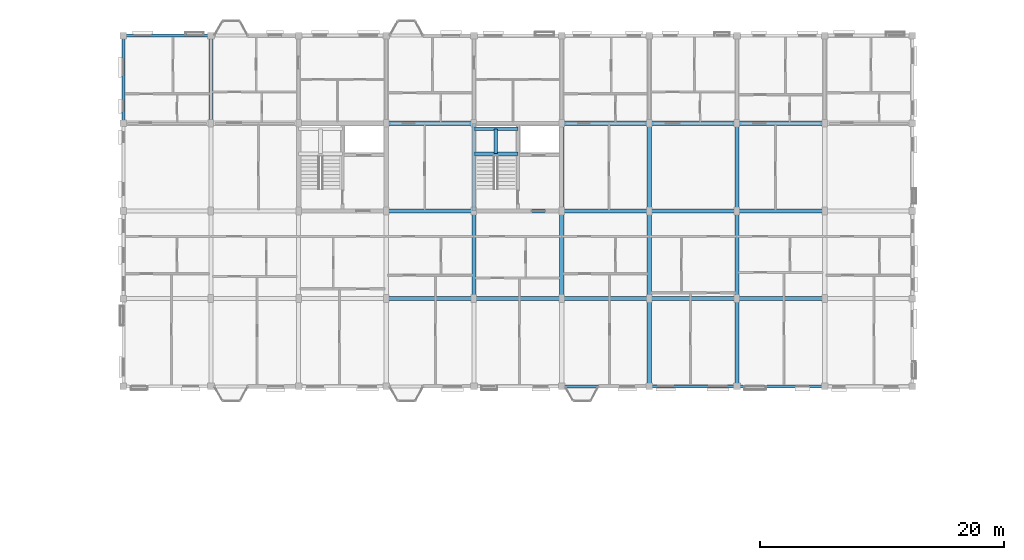
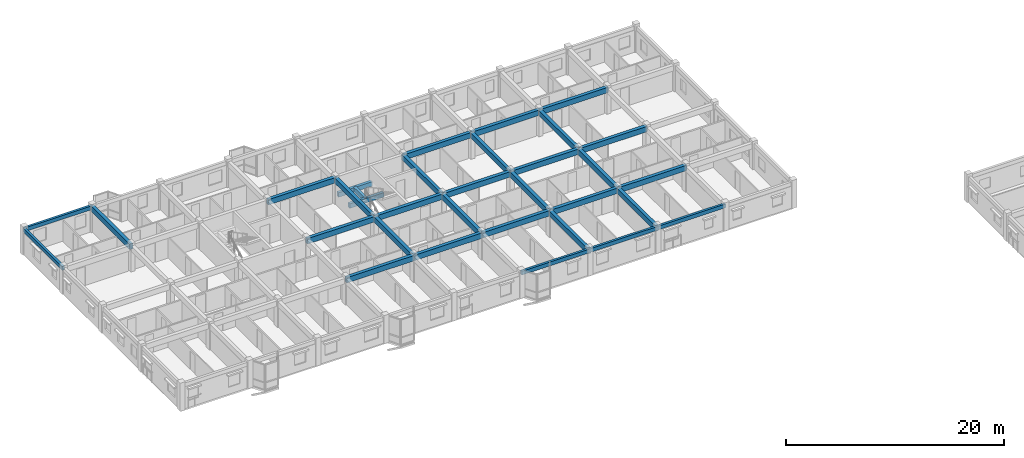
# One storey, part 36 of 75: 33 beams.
"""IFC4 building model written with IfcOpenShell, lengths in metres."""

from ifc_helpers import new_model, si_unit, direction, frame, origin, origin_2d, place, context, subcontext, project, spatial, rectangle, extrude, material, material_profile, profile_set, type_object, element, save


model = new_model("IFC4")

# Units and contexts
model_context = context("Model", 3, precision=1e-05, world=origin(), true_north=direction((0.0, 1.0)))
body_context = subcontext(model_context, "Body", "Model", "MODEL_VIEW")
ifc_project = project(units=[si_unit("LENGTHUNIT", "METRE"), si_unit("AREAUNIT", "SQUARE_METRE"), si_unit("VOLUMEUNIT", "CUBIC_METRE"), si_unit("PLANEANGLEUNIT", "RADIAN"), si_unit("MASSUNIT", "GRAM", prefix="KILO"), si_unit("THERMODYNAMICTEMPERATUREUNIT", "KELVIN"), si_unit("POWERUNIT", "WATT")], contexts=[model_context])

# Site, building, storey
site_placement = place(None, origin())
site = spatial("IfcSite", under=ifc_project, at=site_placement, CompositionType="ELEMENT")
building_placement = place(site_placement, origin())
building = spatial("IfcBuilding", under=site, at=building_placement, Name="Tavuni Mirador Residences", CompositionType="ELEMENT")
storey_placement = place(building_placement, frame((0.0, 0.0, 20.25)))
storey = spatial("IfcBuildingStorey", under=building, at=storey_placement, Name="L06", CompositionType="ELEMENT", Elevation=20.25)

# Beams
ifc_material = material(Name="Precast concrete C40/50", Category="concrete")
ifc_material_profile_1 = material_profile(ifc_material, rectangle(XDim=0.300048828125, YDim=0.5, at=origin_2d()), Name="PC 300x500", Category="concrete")
ifc_profile_set_1 = profile_set([ifc_material_profile_1], Name="Precast concrete C40/50")
beam_type_1 = type_object("IfcBeamType", Name="BT-B500", PredefinedType="BEAM", material=ifc_profile_set_1)
for number, where, z_axis, x_axis, name in (
    (1, (39.60009765625, 163.10009765625, 1.14501953125), (1.0, 0.0, 0.0), (0.0, 1.0, 0.0), "HLB1-C6-L06"),
    (2, (39.60009765625, 165.14990234375, 1.14501953125), (1.0, 0.0, 0.0), (0.0, 1.0, 0.0), "HLB2-C6-L06"),
):
    element("IfcBeam", number, at=place(storey_placement, frame(where, z_axis=z_axis, x_axis=x_axis)), inside=storey, type_object=beam_type_1, Name=name, PredefinedType="BEAM", context=body_context, shape_type="SweptSolid", body=[
        extrude(rectangle(XDim=0.300048828125, YDim=0.5, at=origin_2d()), origin(), (0.0, 0.0, 1.0), 3.599853515625),
    ])
beam_1_placement = place(storey_placement, frame((41.39990234375, 163.10009765625, 1.14501953125), z_axis=(0.0, 1.0, 0.0), x_axis=(-1.0, 0.0, 0.0)))
element("IfcBeam", 3, at=beam_1_placement, inside=storey, type_object=beam_type_1, Name="HLB3-C6-L06", PredefinedType="BEAM", context=body_context, shape_type="SweptSolid", body=[
    extrude(rectangle(XDim=0.300048828125, YDim=0.5, at=origin_2d()), origin(), (0.0, 0.0, 1.0), 2.0498046875),
])
ifc_material_profile_2 = material_profile(ifc_material, rectangle(XDim=0.35009765625, YDim=0.60009765625, at=origin_2d()), Name="PC 350x600", Category="concrete")
ifc_profile_set_2 = profile_set([ifc_material_profile_2], Name="Precast concrete C40/50")
beam_type_2 = type_object("IfcBeamType", Name="BT-B600", PredefinedType="BEAM", material=ifc_profile_set_2)
beam_2_placement = place(storey_placement, frame((32.39990234375, 151.199951171875, 2.5849609375), z_axis=(1.0, 0.0, 0.0), x_axis=(0.0, 1.0, 0.0)))
element("IfcBeam", 4, at=beam_2_placement, inside=storey, type_object=beam_type_2, Name="BMX-BLK-C-L06-03-01", PredefinedType="BEAM", context=body_context, shape_type="SweptSolid", body=[
    extrude(rectangle(XDim=0.35009765625, YDim=0.60009765625, at=origin_2d()), origin(), (0.0, 0.0, 1.0), 7.2001953125),
])
for number, where, z_axis, x_axis, name in (
    (5, (39.60009765625, 151.199951171875, 2.5849609375), (1.0, 0.0, 0.0), (0.0, 1.0, 0.0), "BMX-BLK-C-L06-04-01"),
    (6, (46.800048828125, 151.199951171875, 2.5849609375), (1.0, 0.0, 0.0), (0.0, 1.0, 0.0), "BMX-BLK-C-L06-05-01"),
    (7, (54.0, 151.199951171875, 2.5849609375), (1.0, 0.0, 0.0), (0.0, 1.0, 0.0), "BMX-BLK-C-L06-06-01"),
    (8, (61.199951171875, 151.199951171875, 2.5849609375), (1.0, 0.0, 0.0), (0.0, 1.0, 0.0), "BMX-BLK-C-L06-07-01"),
):
    element("IfcBeam", number, at=place(storey_placement, frame(where, z_axis=z_axis, x_axis=x_axis)), inside=storey, type_object=beam_type_2, Name=name, PredefinedType="BEAM", context=body_context, shape_type="SweptSolid", body=[
        extrude(rectangle(XDim=0.35009765625, YDim=0.60009765625, at=origin_2d()), origin(), (0.0, 0.0, 1.0), 7.199951171875),
    ])
beam_3_placement = place(storey_placement, frame((32.39990234375, 158.39990234375, 2.5849609375), z_axis=(1.0, 0.0, 0.0), x_axis=(0.0, 1.0, 0.0)))
element("IfcBeam", 9, at=beam_3_placement, inside=storey, type_object=beam_type_2, Name="BMX-BLK-C-L06-03-02", PredefinedType="BEAM", context=body_context, shape_type="SweptSolid", body=[
    extrude(rectangle(XDim=0.35009765625, YDim=0.60009765625, at=origin_2d()), origin(), (0.0, 0.0, 1.0), 7.2001953125),
])
for number, where, z_axis, x_axis, name in (
    (10, (39.60009765625, 158.39990234375, 2.5849609375), (1.0, 0.0, 0.0), (0.0, 1.0, 0.0), "BMX-BLK-C-L06-04-02"),
    (11, (46.800048828125, 158.39990234375, 2.5849609375), (1.0, 0.0, 0.0), (0.0, 1.0, 0.0), "BMX-BLK-C-L06-05-02"),
    (12, (54.0, 158.39990234375, 2.5849609375), (1.0, 0.0, 0.0), (0.0, 1.0, 0.0), "BMX-BLK-C-L06-06-02"),
    (13, (61.199951171875, 158.39990234375, 2.5849609375), (1.0, 0.0, 0.0), (0.0, 1.0, 0.0), "BMX-BLK-C-L06-07-02"),
):
    element("IfcBeam", number, at=place(storey_placement, frame(where, z_axis=z_axis, x_axis=x_axis)), inside=storey, type_object=beam_type_2, Name=name, PredefinedType="BEAM", context=body_context, shape_type="SweptSolid", body=[
        extrude(rectangle(XDim=0.35009765625, YDim=0.60009765625, at=origin_2d()), origin(), (0.0, 0.0, 1.0), 7.199951171875),
    ])
beam_4_placement = place(storey_placement, frame((32.39990234375, 165.60009765625, 2.5849609375), z_axis=(1.0, 0.0, 0.0), x_axis=(0.0, 1.0, 0.0)))
element("IfcBeam", 14, at=beam_4_placement, inside=storey, type_object=beam_type_2, Name="BMX-BLK-C-L06-03-03", PredefinedType="BEAM", context=body_context, shape_type="SweptSolid", body=[
    extrude(rectangle(XDim=0.35009765625, YDim=0.60009765625, at=origin_2d()), origin(), (0.0, 0.0, 1.0), 7.2001953125),
])
for number, where, z_axis, x_axis, name in (
    (15, (46.800048828125, 165.60009765625, 2.5849609375), (1.0, 0.0, 0.0), (0.0, 1.0, 0.0), "BMX-BLK-C-L06-05-03"),
    (16, (54.0, 165.60009765625, 2.5849609375), (1.0, 0.0, 0.0), (0.0, 1.0, 0.0), "BMX-BLK-C-L06-06-03"),
    (17, (61.199951171875, 165.60009765625, 2.5849609375), (1.0, 0.0, 0.0), (0.0, 1.0, 0.0), "BMX-BLK-C-L06-07-03"),
    (18, (18.0, 165.60009765625, 2.5849609375), (0.0, 1.0, 0.0), (-1.0, 0.0, 0.0), "BMY-BLK-C-L06-01-03"),
    (19, (39.60009765625, 151.199951171875, 2.5849609375), (0.0, 1.0, 0.0), (-1.0, 0.0, 0.0), "BMY-BLK-C-L06-04-01"),
):
    element("IfcBeam", number, at=place(storey_placement, frame(where, z_axis=z_axis, x_axis=x_axis)), inside=storey, type_object=beam_type_2, Name=name, PredefinedType="BEAM", context=body_context, shape_type="SweptSolid", body=[
        extrude(rectangle(XDim=0.35009765625, YDim=0.60009765625, at=origin_2d()), origin(), (0.0, 0.0, 1.0), 7.199951171875),
    ])
beam_5_placement = place(storey_placement, frame((39.60009765625, 158.39990234375, 2.5849609375), z_axis=(0.0, 1.0, 0.0), x_axis=(-1.0, 0.0, 0.0)))
element("IfcBeam", 20, at=beam_5_placement, inside=storey, type_object=beam_type_2, Name="BMY-BLK-C-L06-04-02", PredefinedType="BEAM", context=body_context, shape_type="SweptSolid", body=[
    extrude(rectangle(XDim=0.35009765625, YDim=0.60009765625, at=origin_2d()), origin(), (0.0, 0.0, 1.0), 7.2001953125),
])
beam_6_placement = place(storey_placement, frame((46.800048828125, 151.199951171875, 2.5849609375), z_axis=(0.0, 1.0, 0.0), x_axis=(-1.0, 0.0, 0.0)))
element("IfcBeam", 21, at=beam_6_placement, inside=storey, type_object=beam_type_2, Name="BMY-BLK-C-L06-05-01", PredefinedType="BEAM", context=body_context, shape_type="SweptSolid", body=[
    extrude(rectangle(XDim=0.35009765625, YDim=0.60009765625, at=origin_2d()), origin(), (0.0, 0.0, 1.0), 7.199951171875),
])
beam_7_placement = place(storey_placement, frame((46.800048828125, 158.39990234375, 2.5849609375), z_axis=(0.0, 1.0, 0.0), x_axis=(-1.0, 0.0, 0.0)))
element("IfcBeam", 22, at=beam_7_placement, inside=storey, type_object=beam_type_2, Name="BMY-BLK-C-L06-05-02", PredefinedType="BEAM", context=body_context, shape_type="SweptSolid", body=[
    extrude(rectangle(XDim=0.35009765625, YDim=0.60009765625, at=origin_2d()), origin(), (0.0, 0.0, 1.0), 7.2001953125),
])
for number, where, z_axis, x_axis, name in (
    (23, (54.0, 144.0, 2.5849609375), (0.0, 1.0, 0.0), (-1.0, 0.0, 0.0), "BMY-BLK-C-L06-06-00"),
    (24, (54.0, 151.199951171875, 2.5849609375), (0.0, 1.0, 0.0), (-1.0, 0.0, 0.0), "BMY-BLK-C-L06-06-01"),
):
    element("IfcBeam", number, at=place(storey_placement, frame(where, z_axis=z_axis, x_axis=x_axis)), inside=storey, type_object=beam_type_2, Name=name, PredefinedType="BEAM", context=body_context, shape_type="SweptSolid", body=[
        extrude(rectangle(XDim=0.35009765625, YDim=0.60009765625, at=origin_2d()), origin(), (0.0, 0.0, 1.0), 7.199951171875),
    ])
beam_8_placement = place(storey_placement, frame((54.0, 158.39990234375, 2.5849609375), z_axis=(0.0, 1.0, 0.0), x_axis=(-1.0, 0.0, 0.0)))
element("IfcBeam", 25, at=beam_8_placement, inside=storey, type_object=beam_type_2, Name="BMY-BLK-C-L06-06-02", PredefinedType="BEAM", context=body_context, shape_type="SweptSolid", body=[
    extrude(rectangle(XDim=0.35009765625, YDim=0.60009765625, at=origin_2d()), origin(), (0.0, 0.0, 1.0), 7.2001953125),
])
for number, where, z_axis, x_axis, name in (
    (26, (61.199951171875, 144.0, 2.5849609375), (0.0, 1.0, 0.0), (-1.0, 0.0, 0.0), "BMY-BLK-C-L06-07-00"),
    (27, (61.199951171875, 151.199951171875, 2.5849609375), (0.0, 1.0, 0.0), (-1.0, 0.0, 0.0), "BMY-BLK-C-L06-07-01"),
):
    element("IfcBeam", number, at=place(storey_placement, frame(where, z_axis=z_axis, x_axis=x_axis)), inside=storey, type_object=beam_type_2, Name=name, PredefinedType="BEAM", context=body_context, shape_type="SweptSolid", body=[
        extrude(rectangle(XDim=0.35009765625, YDim=0.60009765625, at=origin_2d()), origin(), (0.0, 0.0, 1.0), 7.199951171875),
    ])
beam_9_placement = place(storey_placement, frame((61.199951171875, 158.39990234375, 2.5849609375), z_axis=(0.0, 1.0, 0.0), x_axis=(-1.0, 0.0, 0.0)))
element("IfcBeam", 28, at=beam_9_placement, inside=storey, type_object=beam_type_2, Name="BMY-BLK-C-L06-07-02", PredefinedType="BEAM", context=body_context, shape_type="SweptSolid", body=[
    extrude(rectangle(XDim=0.35009765625, YDim=0.60009765625, at=origin_2d()), origin(), (0.0, 0.0, 1.0), 7.2001953125),
])
ifc_material_profile_3 = material_profile(ifc_material, rectangle(XDim=0.25, YDim=0.419921875, at=origin_2d()), Name="PC 250x420", Category="concrete")
ifc_profile_set_3 = profile_set([ifc_material_profile_3], Name="Precast concrete C40/50")
beam_type_3 = type_object("IfcBeamType", Name="BT-SP420", PredefinedType="SPANDREL", material=ifc_profile_set_3)
for number, where, z_axis, x_axis, name in (
    (29, (46.800048828125, 144.0, 2.675048828125), (1.0, 0.0, 0.0), (0.0, 1.0, 0.0), "BMX-BLK-C-L06-05-00"),
    (30, (54.0, 144.0, 2.675048828125), (1.0, 0.0, 0.0), (0.0, 1.0, 0.0), "BMX-BLK-C-L06-06-00"),
    (31, (61.199951171875, 144.0, 2.675048828125), (1.0, 0.0, 0.0), (0.0, 1.0, 0.0), "BMX-BLK-C-L06-07-00"),
    (32, (10.800048828125, 172.800048828125, 2.675048828125), (1.0, 0.0, 0.0), (0.0, 1.0, 0.0), "BMX-BLK-C-L06-00-04"),
    (33, (10.800048828125, 165.60009765625, 2.675048828125), (0.0, 1.0, 0.0), (-1.0, 0.0, 0.0), "BMY-BLK-C-L06-00-03"),
):
    element("IfcBeam", number, at=place(storey_placement, frame(where, z_axis=z_axis, x_axis=x_axis)), inside=storey, type_object=beam_type_3, Name=name, PredefinedType="SPANDREL", context=body_context, shape_type="SweptSolid", body=[
        extrude(rectangle(XDim=0.25, YDim=0.419921875, at=origin_2d()), origin(), (0.0, 0.0, 1.0), 7.199951171875),
    ])

save(model, "model.ifc")
